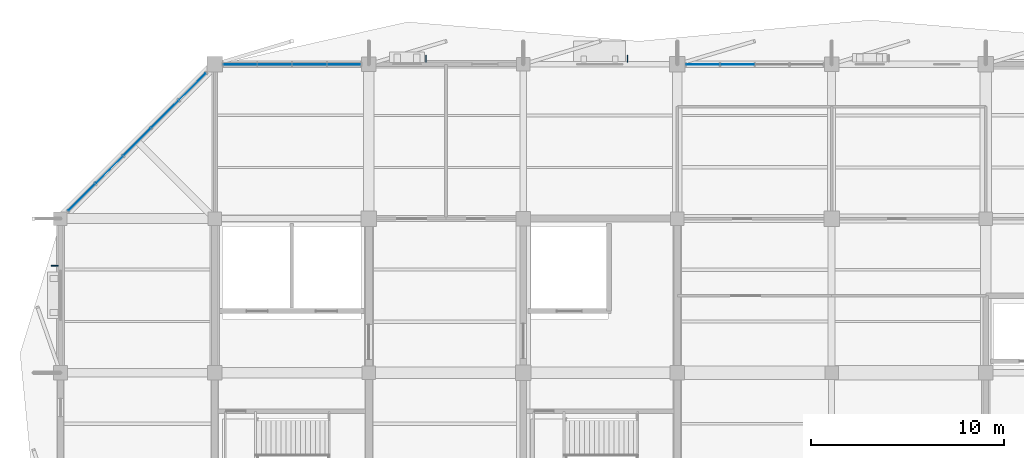
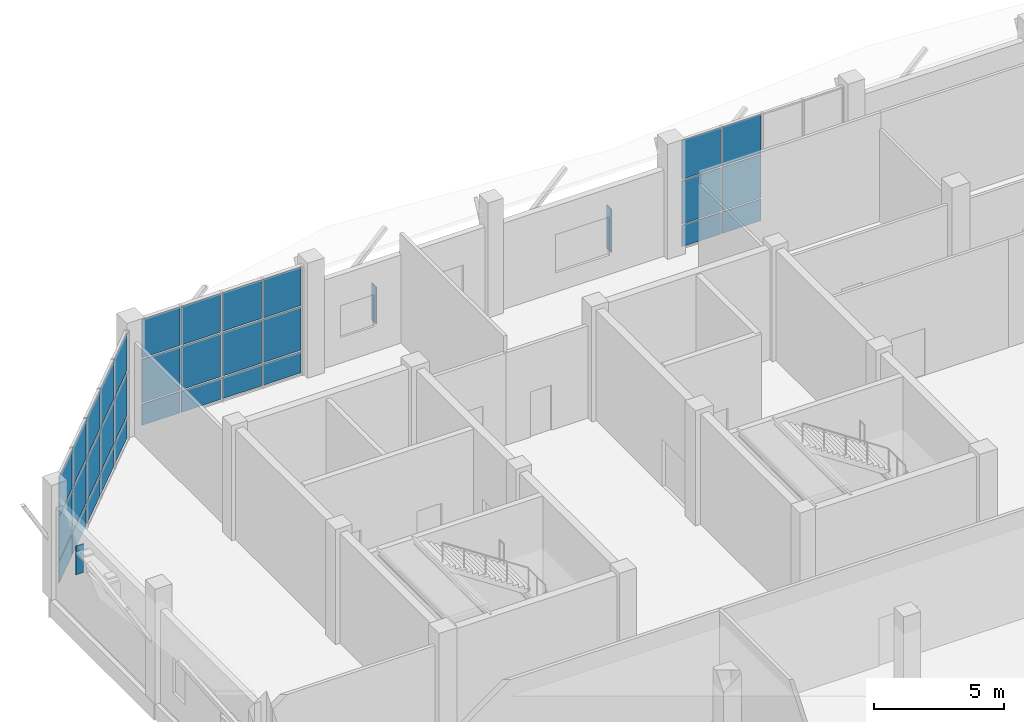
# One storey, part 83 of 122: 36 plates, 3 elements without a shape of their own.
"""IFC4 building model written with IfcOpenShell, lengths in metres."""

from ifc_helpers import new_model, si_unit, direction, frame, origin, origin_2d, place, context, subcontext, project, spatial, rectangle, extrude, material, layer, layer_set, type_object, element, aggregate, save


model = new_model("IFC4")

# Units and contexts
model_context = context("Model", 3, precision=1e-05, world=origin(), true_north=direction((0.0, 1.0)))
body_context = subcontext(model_context, "Body", "Model", "MODEL_VIEW")
ifc_project = project(units=[si_unit("LENGTHUNIT", "METRE"), si_unit("AREAUNIT", "SQUARE_METRE"), si_unit("VOLUMEUNIT", "CUBIC_METRE"), si_unit("PLANEANGLEUNIT", "RADIAN"), si_unit("MASSUNIT", "GRAM", prefix="KILO")], contexts=[model_context])

# Site, building, storey
site_placement = place(None, origin())
site = spatial("IfcSite", under=ifc_project, at=site_placement, CompositionType="ELEMENT")
building_placement = place(site_placement, origin())
building = spatial("IfcBuilding", under=site, at=building_placement, Name="Tenunan Teduh Sports Hall", CompositionType="ELEMENT")
storey_placement = place(building_placement, frame((0.0, 0.0, 5.39990234375)))
storey = spatial("IfcBuildingStorey", under=building, at=storey_placement, Name="L01", CompositionType="ELEMENT", Elevation=5.39990234375)

# Curtain wall, plates
ifc_material_1 = material(Name="Anodised aluminium", Category="aluminium")
curtain_wall_type = type_object("IfcCurtainWallType", Name="CW-UNIT-1", PredefinedType="NOTDEFINED", material=ifc_material_1)
curtain_wall_1_placement = place(storey_placement, origin())
curtain_wall_1 = element("IfcCurtainWall", 1, at=curtain_wall_1_placement, inside=storey, type_object=curtain_wall_type, Name="CW-CWM-175-L01-206", PredefinedType="NOTDEFINED")
ifc_material_2 = material(Name="Low-E laminated double glazing", Category="glass")
ifc_layer_1 = layer(ifc_material_2, 0.028076171875)
ifc_layer_set_1 = layer_set([ifc_layer_1], Name="Low-E laminated double glazing")
plate_type_1 = type_object("IfcPlateType", Name="CWP-GLZ-28", PredefinedType="CURTAIN_PANEL", material=ifc_layer_set_1)
plate_1_placement = place(storey_placement, frame((39.3193359375, 118.0, 1.1328125), z_axis=(0.0, 0.0, 1.0), x_axis=(1.0, 0.0, 0.0)))
plate_1 = element("IfcPlate", 2, at=plate_1_placement, type_object=plate_type_1, Name="CW-01 panel 1.2", PredefinedType="CURTAIN_PANEL", context=body_context, shape_type="SweptSolid", body=[
    extrude(rectangle(XDim=1.708740234375, YDim=0.028076171875, at=origin_2d()), origin(), (0.0, 0.0, 1.0), 2.034912109375),
])
plate_2_placement = place(storey_placement, frame((39.3193359375, 118.0, 3.232421875), z_axis=(0.0, 0.0, 1.0), x_axis=(1.0, 0.0, 0.0)))
plate_2 = element("IfcPlate", 3, at=plate_2_placement, type_object=plate_type_1, Name="CW-01 panel 1.3", PredefinedType="CURTAIN_PANEL", context=body_context, shape_type="SweptSolid", body=[
    extrude(rectangle(XDim=1.708740234375, YDim=0.028076171875, at=origin_2d()), origin(), (0.0, 0.0, 1.0), 1.822509765625),
])
plate_3_placement = place(storey_placement, frame((41.109375, 118.0, 1.1328125), z_axis=(0.0, 0.0, 1.0), x_axis=(1.0, 0.0, 0.0)))
plate_3 = element("IfcPlate", 4, at=plate_3_placement, type_object=plate_type_1, Name="CW-01 panel 2.2", PredefinedType="CURTAIN_PANEL", context=body_context, shape_type="SweptSolid", body=[
    extrude(rectangle(XDim=1.7412109375, YDim=0.028076171875, at=origin_2d()), origin(), (0.0, 0.0, 1.0), 2.034912109375),
])
plate_4_placement = place(storey_placement, frame((41.109375, 118.0, 3.232421875), z_axis=(0.0, 0.0, 1.0), x_axis=(1.0, 0.0, 0.0)))
plate_4 = element("IfcPlate", 5, at=plate_4_placement, type_object=plate_type_1, Name="CW-01 panel 2.3", PredefinedType="CURTAIN_PANEL", context=body_context, shape_type="SweptSolid", body=[
    extrude(rectangle(XDim=1.7412109375, YDim=0.028076171875, at=origin_2d()), origin(), (0.0, 0.0, 1.0), 1.822509765625),
])

curtain_wall_2_placement = place(storey_placement, origin())
curtain_wall_2 = element("IfcCurtainWall", 6, at=curtain_wall_2_placement, inside=storey, type_object=curtain_wall_type, Name="CW-CWM-200-L01-208", PredefinedType="NOTDEFINED")
plate_5_placement = place(storey_placement, frame((7.10107421875, 111.10107421875, 1.13525390625), z_axis=(0.0, 0.0, 1.0), x_axis=(0.707106781187, 0.707106781187, 0.0)))
plate_5 = element("IfcPlate", 7, at=plate_5_placement, type_object=plate_type_1, Name="CW-01 panel 1.2", PredefinedType="CURTAIN_PANEL", context=body_context, shape_type="SweptSolid", body=[
    extrude(rectangle(XDim=1.93505859375, YDim=0.028076171875, at=origin_2d()), origin(), (0.0, 0.0, 1.0), 2.030029296875),
])
plate_6_placement = place(storey_placement, frame((7.10107421875, 111.10107421875, 3.235107421875), z_axis=(0.0, 0.0, 1.0), x_axis=(0.707106781187, 0.707106781187, 0.0)))
plate_6 = element("IfcPlate", 8, at=plate_6_placement, type_object=plate_type_1, Name="CW-01 panel 1.3", PredefinedType="CURTAIN_PANEL", context=body_context, shape_type="SweptSolid", body=[
    extrude(rectangle(XDim=1.93505859375, YDim=0.028076171875, at=origin_2d()), origin(), (0.0, 0.0, 1.0), 1.81494140625),
])
plate_7_placement = place(storey_placement, frame((8.53125, 112.53125, 1.13525390625), z_axis=(0.0, 0.0, 1.0), x_axis=(0.707106781187, 0.707106781187, 0.0)))
plate_7 = element("IfcPlate", 9, at=plate_7_placement, type_object=plate_type_1, Name="CW-01 panel 2.2", PredefinedType="CURTAIN_PANEL", context=body_context, shape_type="SweptSolid", body=[
    extrude(rectangle(XDim=1.969970703125, YDim=0.028076171875, at=origin_2d()), origin(), (0.0, 0.0, 1.0), 2.030029296875),
])
plate_8_placement = place(storey_placement, frame((8.53125, 112.53125, 3.235107421875), z_axis=(0.0, 0.0, 1.0), x_axis=(0.707106781187, 0.707106781187, 0.0)))
plate_8 = element("IfcPlate", 10, at=plate_8_placement, type_object=plate_type_1, Name="CW-01 panel 2.3", PredefinedType="CURTAIN_PANEL", context=body_context, shape_type="SweptSolid", body=[
    extrude(rectangle(XDim=1.969970703125, YDim=0.028076171875, at=origin_2d()), origin(), (0.0, 0.0, 1.0), 1.81494140625),
])
plate_9_placement = place(storey_placement, frame((9.9736328125, 113.9736328125, 1.13525390625), z_axis=(0.0, 0.0, 1.0), x_axis=(0.707106781187, 0.707106781187, 0.0)))
plate_9 = element("IfcPlate", 11, at=plate_9_placement, type_object=plate_type_1, Name="CW-01 panel 3.2", PredefinedType="CURTAIN_PANEL", context=body_context, shape_type="SweptSolid", body=[
    extrude(rectangle(XDim=1.969970703125, YDim=0.028076171875, at=origin_2d()), origin(), (0.0, 0.0, 1.0), 2.030029296875),
])
plate_10_placement = place(storey_placement, frame((9.9736328125, 113.9736328125, 3.235107421875), z_axis=(0.0, 0.0, 1.0), x_axis=(0.707106781187, 0.707106781187, 0.0)))
plate_10 = element("IfcPlate", 12, at=plate_10_placement, type_object=plate_type_1, Name="CW-01 panel 3.3", PredefinedType="CURTAIN_PANEL", context=body_context, shape_type="SweptSolid", body=[
    extrude(rectangle(XDim=1.969970703125, YDim=0.028076171875, at=origin_2d()), origin(), (0.0, 0.0, 1.0), 1.81494140625),
])
plate_11_placement = place(storey_placement, frame((11.416259765625, 115.416259765625, 1.13525390625), z_axis=(0.0, 0.0, 1.0), x_axis=(0.707106781187, 0.707106781187, 0.0)))
plate_11 = element("IfcPlate", 13, at=plate_11_placement, type_object=plate_type_1, Name="CW-01 panel 4.2", PredefinedType="CURTAIN_PANEL", context=body_context, shape_type="SweptSolid", body=[
    extrude(rectangle(XDim=1.969970703125, YDim=0.028076171875, at=origin_2d()), origin(), (0.0, 0.0, 1.0), 2.030029296875),
])
plate_12_placement = place(storey_placement, frame((11.416259765625, 115.416259765625, 3.235107421875), z_axis=(0.0, 0.0, 1.0), x_axis=(0.707106781187, 0.707106781187, 0.0)))
plate_12 = element("IfcPlate", 14, at=plate_12_placement, type_object=plate_type_1, Name="CW-01 panel 4.3", PredefinedType="CURTAIN_PANEL", context=body_context, shape_type="SweptSolid", body=[
    extrude(rectangle(XDim=1.969970703125, YDim=0.028076171875, at=origin_2d()), origin(), (0.0, 0.0, 1.0), 1.81494140625),
])
plate_13_placement = place(storey_placement, frame((12.846435546875, 116.846435546875, 1.13525390625), z_axis=(0.0, 0.0, 1.0), x_axis=(0.707106781187, 0.707106781187, 0.0)))
plate_13 = element("IfcPlate", 15, at=plate_13_placement, type_object=plate_type_1, Name="CW-01 panel 5.2", PredefinedType="CURTAIN_PANEL", context=body_context, shape_type="SweptSolid", body=[
    extrude(rectangle(XDim=1.93505859375, YDim=0.028076171875, at=origin_2d()), origin(), (0.0, 0.0, 1.0), 2.030029296875),
])
plate_14_placement = place(storey_placement, frame((12.846435546875, 116.846435546875, 3.235107421875), z_axis=(0.0, 0.0, 1.0), x_axis=(0.707106781187, 0.707106781187, 0.0)))
plate_14 = element("IfcPlate", 16, at=plate_14_placement, type_object=plate_type_1, Name="CW-01 panel 5.3", PredefinedType="CURTAIN_PANEL", context=body_context, shape_type="SweptSolid", body=[
    extrude(rectangle(XDim=1.93505859375, YDim=0.028076171875, at=origin_2d()), origin(), (0.0, 0.0, 1.0), 1.81494140625),
])

curtain_wall_3_placement = place(storey_placement, origin())
curtain_wall_3 = element("IfcCurtainWall", 17, at=curtain_wall_3_placement, inside=storey, type_object=curtain_wall_type, Name="CW-CWM-220-L01-205", PredefinedType="NOTDEFINED")
ifc_material_3 = material(Name="Solar-control laminated glazing", Category="glass")
ifc_layer_2 = layer(ifc_material_3, 0.031982421875)
ifc_layer_set_2 = layer_set([ifc_layer_2], Name="Solar-control laminated glazing")
plate_type_2 = type_object("IfcPlateType", Name="CWP-GLZ-32", PredefinedType="CURTAIN_PANEL", material=ifc_layer_set_2)
plate_15_placement = place(storey_placement, frame((15.32177734375, 118.0, 1.1376953125), z_axis=(0.0, 0.0, 1.0), x_axis=(1.0, 0.0, 0.0)))
plate_15 = element("IfcPlate", 18, at=plate_15_placement, type_object=plate_type_2, Name="CW-01 panel 1.2", PredefinedType="CURTAIN_PANEL", context=body_context, shape_type="SweptSolid", body=[
    extrude(rectangle(XDim=1.69384765625, YDim=0.031982421875, at=origin_2d()), origin(), (0.0, 0.0, 1.0), 2.02490234375),
])
plate_16_placement = place(storey_placement, frame((15.32177734375, 118.0, 3.237548828125), z_axis=(0.0, 0.0, 1.0), x_axis=(1.0, 0.0, 0.0)))
plate_16 = element("IfcPlate", 19, at=plate_16_placement, type_object=plate_type_2, Name="CW-01 panel 1.3", PredefinedType="CURTAIN_PANEL", context=body_context, shape_type="SweptSolid", body=[
    extrude(rectangle(XDim=1.69384765625, YDim=0.031982421875, at=origin_2d()), origin(), (0.0, 0.0, 1.0), 1.8076171875),
])
plate_17_placement = place(storey_placement, frame((17.109375, 118.0, 1.1376953125), z_axis=(0.0, 0.0, 1.0), x_axis=(1.0, 0.0, 0.0)))
plate_17 = element("IfcPlate", 20, at=plate_17_placement, type_object=plate_type_2, Name="CW-01 panel 2.2", PredefinedType="CURTAIN_PANEL", context=body_context, shape_type="SweptSolid", body=[
    extrude(rectangle(XDim=1.731201171875, YDim=0.031982421875, at=origin_2d()), origin(), (0.0, 0.0, 1.0), 2.02490234375),
])
plate_18_placement = place(storey_placement, frame((17.109375, 118.0, 3.237548828125), z_axis=(0.0, 0.0, 1.0), x_axis=(1.0, 0.0, 0.0)))
plate_18 = element("IfcPlate", 21, at=plate_18_placement, type_object=plate_type_2, Name="CW-01 panel 2.3", PredefinedType="CURTAIN_PANEL", context=body_context, shape_type="SweptSolid", body=[
    extrude(rectangle(XDim=1.731201171875, YDim=0.031982421875, at=origin_2d()), origin(), (0.0, 0.0, 1.0), 1.8076171875),
])
plate_19_placement = place(storey_placement, frame((18.91552734375, 118.0, 1.1376953125), z_axis=(0.0, 0.0, 1.0), x_axis=(1.0, 0.0, 0.0)))
plate_19 = element("IfcPlate", 22, at=plate_19_placement, type_object=plate_type_2, Name="CW-01 panel 3.2", PredefinedType="CURTAIN_PANEL", context=body_context, shape_type="SweptSolid", body=[
    extrude(rectangle(XDim=1.731201171875, YDim=0.031982421875, at=origin_2d()), origin(), (0.0, 0.0, 1.0), 2.02490234375),
])
plate_20_placement = place(storey_placement, frame((18.91552734375, 118.0, 3.237548828125), z_axis=(0.0, 0.0, 1.0), x_axis=(1.0, 0.0, 0.0)))
plate_20 = element("IfcPlate", 23, at=plate_20_placement, type_object=plate_type_2, Name="CW-01 panel 3.3", PredefinedType="CURTAIN_PANEL", context=body_context, shape_type="SweptSolid", body=[
    extrude(rectangle(XDim=1.731201171875, YDim=0.031982421875, at=origin_2d()), origin(), (0.0, 0.0, 1.0), 1.8076171875),
])
plate_21_placement = place(storey_placement, frame((20.703125, 118.0, 1.1376953125), z_axis=(0.0, 0.0, 1.0), x_axis=(1.0, 0.0, 0.0)))
plate_21 = element("IfcPlate", 24, at=plate_21_placement, type_object=plate_type_2, Name="CW-01 panel 4.2", PredefinedType="CURTAIN_PANEL", context=body_context, shape_type="SweptSolid", body=[
    extrude(rectangle(XDim=1.69384765625, YDim=0.031982421875, at=origin_2d()), origin(), (0.0, 0.0, 1.0), 2.02490234375),
])
plate_22_placement = place(storey_placement, frame((20.703125, 118.0, 3.237548828125), z_axis=(0.0, 0.0, 1.0), x_axis=(1.0, 0.0, 0.0)))
plate_22 = element("IfcPlate", 25, at=plate_22_placement, type_object=plate_type_2, Name="CW-01 panel 4.3", PredefinedType="CURTAIN_PANEL", context=body_context, shape_type="SweptSolid", body=[
    extrude(rectangle(XDim=1.69384765625, YDim=0.031982421875, at=origin_2d()), origin(), (0.0, 0.0, 1.0), 1.8076171875),
])
ifc_material_4 = material(Name="Insulated aluminium spandrel panel", Category="aluminium")
ifc_layer_3 = layer(ifc_material_4, 0.044921875)
ifc_layer_set_3 = layer_set([ifc_layer_3], Name="Insulated aluminium spandrel panel")
plate_type_3 = type_object("IfcPlateType", Name="CWP-SPN-45", PredefinedType="CURTAIN_PANEL", material=ifc_layer_set_3)
plate_23_placement = place(storey_placement, frame((15.32177734375, 118.0, 0.0751953125), z_axis=(0.0, 0.0, 1.0), x_axis=(1.0, 0.0, 0.0)))
plate_23 = element("IfcPlate", 26, at=plate_23_placement, type_object=plate_type_3, Name="CW-01 panel 1.1", PredefinedType="CURTAIN_PANEL", context=body_context, shape_type="SweptSolid", body=[
    extrude(rectangle(XDim=1.69384765625, YDim=0.031982421875, at=origin_2d()), origin(), (0.0, 0.0, 1.0), 0.987548828125),
])
plate_24_placement = place(storey_placement, frame((17.109375, 118.0, 0.0751953125), z_axis=(0.0, 0.0, 1.0), x_axis=(1.0, 0.0, 0.0)))
plate_24 = element("IfcPlate", 27, at=plate_24_placement, type_object=plate_type_3, Name="CW-01 panel 2.1", PredefinedType="CURTAIN_PANEL", context=body_context, shape_type="SweptSolid", body=[
    extrude(rectangle(XDim=1.731201171875, YDim=0.031982421875, at=origin_2d()), origin(), (0.0, 0.0, 1.0), 0.987548828125),
])
plate_25_placement = place(storey_placement, frame((18.91552734375, 118.0, 0.0751953125), z_axis=(0.0, 0.0, 1.0), x_axis=(1.0, 0.0, 0.0)))
plate_25 = element("IfcPlate", 28, at=plate_25_placement, type_object=plate_type_3, Name="CW-01 panel 3.1", PredefinedType="CURTAIN_PANEL", context=body_context, shape_type="SweptSolid", body=[
    extrude(rectangle(XDim=1.731201171875, YDim=0.031982421875, at=origin_2d()), origin(), (0.0, 0.0, 1.0), 0.987548828125),
])
plate_26_placement = place(storey_placement, frame((20.703125, 118.0, 0.0751953125), z_axis=(0.0, 0.0, 1.0), x_axis=(1.0, 0.0, 0.0)))
plate_26 = element("IfcPlate", 29, at=plate_26_placement, type_object=plate_type_3, Name="CW-01 panel 4.1", PredefinedType="CURTAIN_PANEL", context=body_context, shape_type="SweptSolid", body=[
    extrude(rectangle(XDim=1.69384765625, YDim=0.031982421875, at=origin_2d()), origin(), (0.0, 0.0, 1.0), 0.987548828125),
])
aggregate(curtain_wall_3, [plate_23, plate_15, plate_16, plate_24, plate_17, plate_18, plate_25, plate_19, plate_20, plate_26, plate_21, plate_22])

# Plate
plate_27_placement = place(storey_placement, frame((39.3193359375, 118.0, 0.065185546875), z_axis=(0.0, 0.0, 1.0), x_axis=(1.0, 0.0, 0.0)))
plate_27 = element("IfcPlate", 30, at=plate_27_placement, type_object=plate_type_3, Name="CW-01 panel 1.1", PredefinedType="CURTAIN_PANEL", context=body_context, shape_type="SweptSolid", body=[
    extrude(rectangle(XDim=1.708740234375, YDim=0.028076171875, at=origin_2d()), origin(), (0.0, 0.0, 1.0), 1.00244140625),
])

plate_28_placement = place(storey_placement, frame((41.109375, 118.0, 0.065185546875), z_axis=(0.0, 0.0, 1.0), x_axis=(1.0, 0.0, 0.0)))
plate_28 = element("IfcPlate", 31, at=plate_28_placement, type_object=plate_type_3, Name="CW-01 panel 2.1", PredefinedType="CURTAIN_PANEL", context=body_context, shape_type="SweptSolid", body=[
    extrude(rectangle(XDim=1.7412109375, YDim=0.028076171875, at=origin_2d()), origin(), (0.0, 0.0, 1.0), 1.00244140625),
])

aggregate(curtain_wall_1, [plate_27, plate_1, plate_2, plate_28, plate_3, plate_4])

plate_29_placement = place(storey_placement, frame((7.10107421875, 111.10107421875, 0.070068359375), z_axis=(0.0, 0.0, 1.0), x_axis=(0.707106781187, 0.707106781187, 0.0)))
plate_29 = element("IfcPlate", 32, at=plate_29_placement, type_object=plate_type_3, Name="CW-01 panel 1.1", PredefinedType="CURTAIN_PANEL", context=body_context, shape_type="SweptSolid", body=[
    extrude(rectangle(XDim=1.93505859375, YDim=0.028076171875, at=origin_2d()), origin(), (0.0, 0.0, 1.0), 0.9951171875),
])

plate_30_placement = place(storey_placement, frame((8.53125, 112.53125, 0.070068359375), z_axis=(0.0, 0.0, 1.0), x_axis=(0.707106781187, 0.707106781187, 0.0)))
plate_30 = element("IfcPlate", 33, at=plate_30_placement, type_object=plate_type_3, Name="CW-01 panel 2.1", PredefinedType="CURTAIN_PANEL", context=body_context, shape_type="SweptSolid", body=[
    extrude(rectangle(XDim=1.969970703125, YDim=0.028076171875, at=origin_2d()), origin(), (0.0, 0.0, 1.0), 0.9951171875),
])

plate_31_placement = place(storey_placement, frame((9.9736328125, 113.9736328125, 0.070068359375), z_axis=(0.0, 0.0, 1.0), x_axis=(0.707106781187, 0.707106781187, 0.0)))
plate_31 = element("IfcPlate", 34, at=plate_31_placement, type_object=plate_type_3, Name="CW-01 panel 3.1", PredefinedType="CURTAIN_PANEL", context=body_context, shape_type="SweptSolid", body=[
    extrude(rectangle(XDim=1.969970703125, YDim=0.028076171875, at=origin_2d()), origin(), (0.0, 0.0, 1.0), 0.9951171875),
])

plate_32_placement = place(storey_placement, frame((11.416259765625, 115.416259765625, 0.070068359375), z_axis=(0.0, 0.0, 1.0), x_axis=(0.707106781187, 0.707106781187, 0.0)))
plate_32 = element("IfcPlate", 35, at=plate_32_placement, type_object=plate_type_3, Name="CW-01 panel 4.1", PredefinedType="CURTAIN_PANEL", context=body_context, shape_type="SweptSolid", body=[
    extrude(rectangle(XDim=1.969970703125, YDim=0.028076171875, at=origin_2d()), origin(), (0.0, 0.0, 1.0), 0.9951171875),
])

plate_33_placement = place(storey_placement, frame((12.846435546875, 116.846435546875, 0.070068359375), z_axis=(0.0, 0.0, 1.0), x_axis=(0.707106781187, 0.707106781187, 0.0)))
plate_33 = element("IfcPlate", 36, at=plate_33_placement, type_object=plate_type_3, Name="CW-01 panel 5.1", PredefinedType="CURTAIN_PANEL", context=body_context, shape_type="SweptSolid", body=[
    extrude(rectangle(XDim=1.93505859375, YDim=0.028076171875, at=origin_2d()), origin(), (0.0, 0.0, 1.0), 0.9951171875),
])

aggregate(curtain_wall_2, [plate_29, plate_5, plate_6, plate_30, plate_7, plate_8, plate_31, plate_9, plate_10, plate_32, plate_11, plate_12, plate_33, plate_13, plate_14])

# Plates
ifc_material_5 = material(Name="Anodised aluminium", Category="aluminium")
ifc_layer_4 = layer(ifc_material_5, 1.89990234375)
ifc_layer_set_4 = layer_set([ifc_layer_4], Name="Anodised aluminium")
plate_type_4 = type_object("IfcPlateType", Name="PLT-FIN-1", PredefinedType="SHEET", material=ifc_layer_set_4)
plate_34_placement = place(storey_placement, frame((24.965087890625, 118.284912109375, 1.080078125), z_axis=(0.0, 0.0, 1.0), x_axis=(1.0, 0.0, 0.0)))
element("IfcPlate", 37, at=plate_34_placement, inside=storey, type_object=plate_type_4, Name="PLT-FIN-L01-031", PredefinedType="SHEET", context=body_context, shape_type="SweptSolid", body=[
    extrude(rectangle(XDim=0.0400390625, YDim=0.360107421875, at=origin_2d()), origin(), (0.0, 0.0, 1.0), 1.739990234375),
])
plate_35_placement = place(storey_placement, frame((35.409912109375, 118.300048828125, 0.780029296875), z_axis=(0.0, 0.0, 1.0), x_axis=(1.0, 0.0, 0.0)))
element("IfcPlate", 38, at=plate_35_placement, inside=storey, type_object=plate_type_4, Name="PLT-FIN-L01-032", PredefinedType="SHEET", context=body_context, shape_type="SweptSolid", body=[
    extrude(rectangle(XDim=0.0400390625, YDim=0.360107421875, at=origin_2d()), origin(), (0.0, 0.0, 1.0), 2.0400390625),
])
plate_36_placement = place(storey_placement, frame((5.699951171875, 107.554931640625, 2.5302734375), z_axis=(0.0, 0.0, 1.0), x_axis=(0.0, 1.0, 0.0)))
element("IfcPlate", 39, at=plate_36_placement, inside=storey, type_object=plate_type_4, Name="PLT-FIN-L01-037", PredefinedType="SHEET", context=body_context, shape_type="SweptSolid", body=[
    extrude(rectangle(XDim=0.0400390625, YDim=0.360107421875, at=origin_2d()), origin(), (0.0, 0.0, 1.0), 1.340087890625),
])

save(model, "model.ifc")
